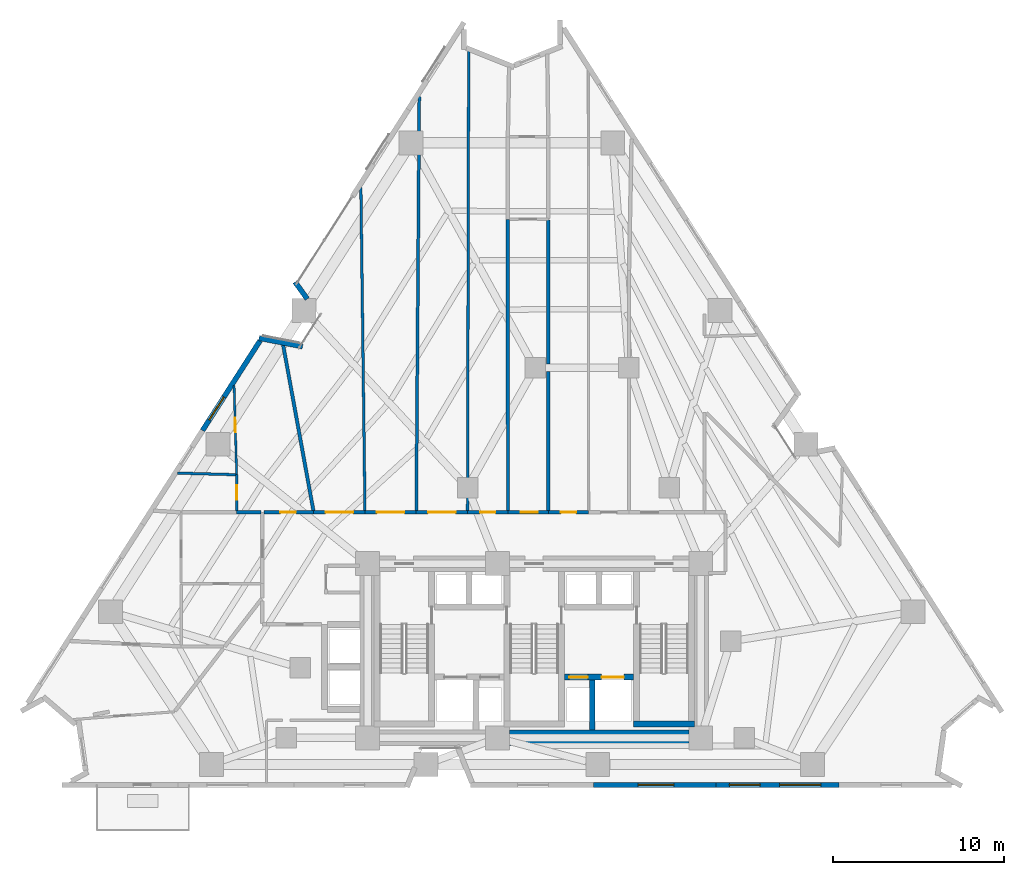
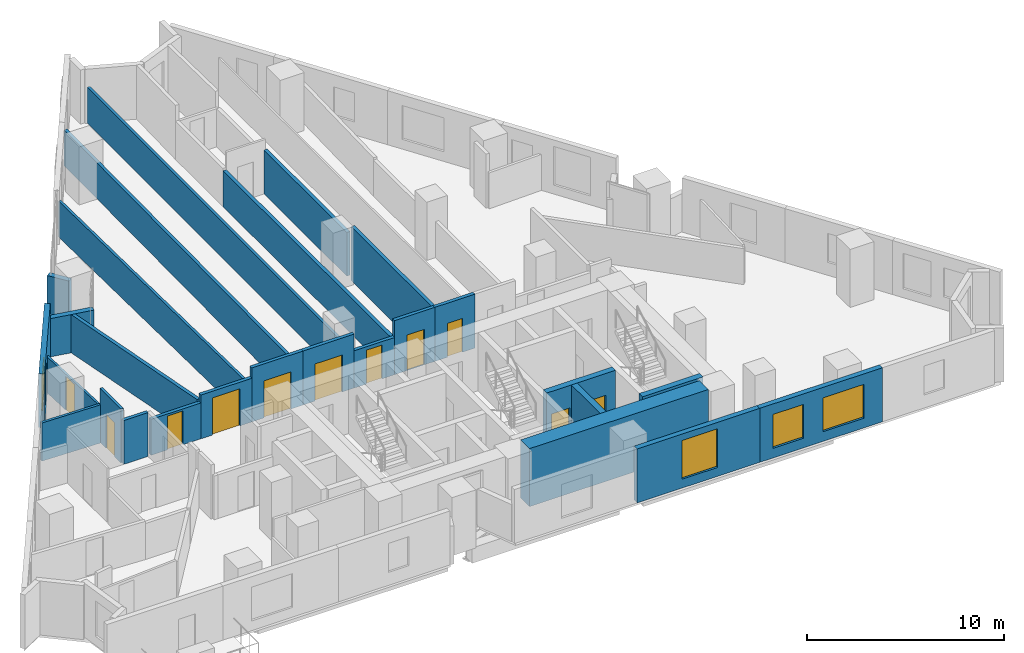
# One storey, part 9 of 14: 27 walls, 11 doors, 4 windows, 15 openings.
"""IFC4 building model written with IfcOpenShell, lengths in metres."""

from ifc_helpers import new_model, si_unit, direction, frame, frame_2d, origin, place, context, subcontext, project, spatial, rectangle, extrude, material, layer, layer_set, type_object, element, fill, save


model = new_model("IFC4")

# Units and contexts
model_context = context("Model", 3, precision=1e-05, world=origin(), true_north=direction((0.0, 1.0)))
body_context = subcontext(model_context, "Body", "Model", "MODEL_VIEW")
ifc_project = project(units=[si_unit("LENGTHUNIT", "METRE"), si_unit("AREAUNIT", "SQUARE_METRE"), si_unit("VOLUMEUNIT", "CUBIC_METRE"), si_unit("PLANEANGLEUNIT", "RADIAN"), si_unit("MASSUNIT", "GRAM", prefix="KILO")], contexts=[model_context])

# Site, building, storey
site_placement = place(None, origin())
site = spatial("IfcSite", under=ifc_project, at=site_placement, CompositionType="ELEMENT")
building_placement = place(site_placement, origin())
building = spatial("IfcBuilding", under=site, at=building_placement, Name="Almagre Mirador Tower", CompositionType="ELEMENT")
storey_placement = place(building_placement, frame((0.0, 0.0, 35.39990234375)))
storey = spatial("IfcBuildingStorey", under=building, at=storey_placement, Name="L07", CompositionType="ELEMENT", Elevation=35.39990234375)

# Walls
ifc_material_1 = material(Name="Precast concrete C50/60", Category="concrete")
ifc_layer_1 = layer(ifc_material_1, 0.300048828125)
ifc_layer_set_1 = layer_set([ifc_layer_1], Name="Precast concrete C50/60")
wall_type_1 = type_object("IfcWallType", Name="WAL-EXT-300", PredefinedType="SOLIDWALL", material=ifc_layer_set_1)
wall_1_placement = place(storey_placement, frame((21.20068359375, 27.946533203125, 0.0), z_axis=(0.0, 0.0, 1.0), x_axis=(0.981746971615, -0.190191702567, 0.0)))
element("IfcWall", 1, at=wall_1_placement, inside=storey, type_object=wall_type_1, Name="L07 expressed almagre precast frame wall 01", PredefinedType="SOLIDWALL", context=body_context, shape_type="SweptSolid", body=[
    extrude(rectangle(XDim=2.593017578125, YDim=0.300048828125, at=frame_2d((1.29638671875, 0.0))), origin(), (0.0, 0.0, 1.0), 2.375),
])
wall_2_placement = place(storey_placement, frame((24.022216796875, 30.235107421875, 0.0), z_axis=(0.0, 0.0, 1.0), x_axis=(-0.583004903736, 0.812468634607, 0.0)))
element("IfcWall", 2, at=wall_2_placement, inside=storey, type_object=wall_type_1, Name="L07 expressed almagre precast frame wall 02", PredefinedType="SOLIDWALL", context=body_context, shape_type="SweptSolid", body=[
    extrude(rectangle(XDim=1.227783203125, YDim=0.300048828125, at=frame_2d((0.61376953125, 0.0))), origin(), (0.0, 0.0, 1.0), 2.375),
])

# Wall, openings, windows
wall_3_placement = place(storey_placement, frame((55.14697265625, 1.800048828125, 0.0), z_axis=(0.0, 0.0, 1.0), x_axis=(-1.0, 0.0, 0.0)))
wall_3 = element("IfcWall", 3, at=wall_3_placement, inside=storey, type_object=wall_type_1, Name="L07 expressed almagre precast frame wall 23", PredefinedType="SOLIDWALL", context=body_context, shape_type="SweptSolid", body=[
    extrude(rectangle(XDim=7.19287109375, YDim=0.300048828125, at=frame_2d((3.596435546875, 0.0))), origin(), (0.0, 0.0, 1.0), 3.35009765625),
])
opening_1_placement = place(wall_3_placement, frame((4.625, 0.0, 0.60009765625)))
opening_1 = element("IfcOpeningElement", 4, at=opening_1_placement, cuts=wall_3, Name="Opening WN-01", PredefinedType="OPENING", context=body_context, shape_type="SweptSolid", body=[
    extrude(rectangle(XDim=1.800048828125, YDim=2.10009765625, at=frame_2d((0.89990234375, 1.050048828125))), frame((0.0, 0.159902, 0.0), z_axis=(0.0, -1.0, 0.0), x_axis=(1.0, 0.0, 0.0)), (0.0, 0.0, 1.0), 0.320049),
])
opening_2_placement = place(wall_3_placement, frame((1.074951171875, 0.0, 0.60009765625)))
opening_2 = element("IfcOpeningElement", 5, at=opening_2_placement, cuts=wall_3, Name="Opening WN-02", PredefinedType="OPENING", context=body_context, shape_type="SweptSolid", body=[
    extrude(rectangle(XDim=2.39990234375, YDim=2.10009765625, at=frame_2d((1.199951171875, 1.050048828125))), frame((0.0, 0.159902, 0.0), z_axis=(0.0, -1.0, 0.0), x_axis=(1.0, 0.0, 0.0)), (0.0, 0.0, 1.0), 0.320049),
])
ifc_material_2 = material(Name="Dark solar-control laminated hurricane glass", Category="glass")
window_type_1 = type_object("IfcWindowType", Name="WIN-1800X2100", PartitioningType="DOUBLE_PANEL_VERTICAL", PredefinedType="WINDOW", material=ifc_material_2)
window_1_placement = place(opening_1_placement, origin())
window_1 = element("IfcWindow", 6, at=window_1_placement, inside=storey, type_object=window_type_1, Name="L07 recessed hurricane window L07-RST-C", OverallHeight=2.10009765625, OverallWidth=1.800048828125, PartitioningType="SINGLE_PANEL", PredefinedType="WINDOW", context=body_context, shape_type="SweptSolid", body=[
    extrude(rectangle(XDim=1.800048828125, YDim=2.10009765625, at=frame_2d((0.89990234375, 1.050048828125))), frame((0.0, 0.030029296875, 0.0), z_axis=(0.0, -1.0, 0.0), x_axis=(1.0, 0.0, 0.0)), (0.0, 0.0, 1.0), 0.06005859375),
])
fill(opening_1, window_1)
ifc_material_3 = material(Name="Dark solar-control laminated hurricane glass", Category="glass")
window_type_2 = type_object("IfcWindowType", Name="WIN-2400X2100", PartitioningType="TRIPLE_PANEL_VERTICAL", PredefinedType="WINDOW", material=ifc_material_3)
window_2_placement = place(opening_2_placement, origin())
window_2 = element("IfcWindow", 7, at=window_2_placement, inside=storey, type_object=window_type_2, Name="L07 recessed hurricane window L07-RST-D", OverallHeight=2.10009765625, OverallWidth=2.39990234375, PartitioningType="SINGLE_PANEL", PredefinedType="WINDOW", context=body_context, shape_type="SweptSolid", body=[
    extrude(rectangle(XDim=2.39990234375, YDim=2.10009765625, at=frame_2d((1.199951171875, 1.050048828125))), frame((0.0, 0.030029296875, 0.0), z_axis=(0.0, -1.0, 0.0), x_axis=(1.0, 0.0, 0.0)), (0.0, 0.0, 1.0), 0.06005859375),
])
fill(opening_2, window_2)

# Wall, opening, window
wall_4_placement = place(storey_placement, frame((47.9541015625, 1.800048828125, 0.0), z_axis=(0.0, 0.0, 1.0), x_axis=(-1.0, 0.0, 0.0)))
wall_4 = element("IfcWall", 8, at=wall_4_placement, inside=storey, type_object=wall_type_1, Name="L07 expressed almagre precast frame wall 24", PredefinedType="SOLIDWALL", context=body_context, shape_type="SweptSolid", body=[
    extrude(rectangle(XDim=7.193115234375, YDim=0.300048828125, at=frame_2d((3.5966796875, 0.0))), origin(), (0.0, 0.0, 1.0), 3.35009765625),
])
opening_3_placement = place(wall_4_placement, frame((2.47509765625, 0.0, 0.550048828125)))
opening_3 = element("IfcOpeningElement", 9, at=opening_3_placement, cuts=wall_4, Name="Opening WN-05", PredefinedType="OPENING", context=body_context, shape_type="SweptSolid", body=[
    extrude(rectangle(XDim=2.10009765625, YDim=2.39990234375, at=frame_2d((1.050048828125, 1.199951171875))), frame((0.0, 0.159902, 0.0), z_axis=(0.0, -1.0, 0.0), x_axis=(1.0, 0.0, 0.0)), (0.0, 0.0, 1.0), 0.320049),
])
ifc_material_4 = material(Name="Dark solar-control laminated hurricane glass", Category="glass")
window_type_3 = type_object("IfcWindowType", Name="WIN-2100X2400", PartitioningType="DOUBLE_PANEL_VERTICAL", PredefinedType="WINDOW", material=ifc_material_4)
window_3_placement = place(opening_3_placement, origin())
window_3 = element("IfcWindow", 10, at=window_3_placement, inside=storey, type_object=window_type_3, Name="L07 recessed hurricane window L07-RST-C", OverallHeight=2.39990234375, OverallWidth=2.10009765625, PartitioningType="SINGLE_PANEL", PredefinedType="WINDOW", context=body_context, shape_type="SweptSolid", body=[
    extrude(rectangle(XDim=2.10009765625, YDim=2.39990234375, at=frame_2d((1.050048828125, 1.199951171875))), frame((0.0, 0.030029296875, 0.0), z_axis=(0.0, -1.0, 0.0), x_axis=(1.0, 0.0, 0.0)), (0.0, 0.0, 1.0), 0.06005859375),
])
fill(opening_3, window_3)

wall_5_placement = place(storey_placement, frame((17.892578125, 22.54345703125, 0.0), z_axis=(0.0, 0.0, 1.0), x_axis=(0.539539053693, 0.841960574813, 0.0)))
wall_5 = element("IfcWall", 11, at=wall_5_placement, inside=storey, type_object=wall_type_1, Name="L07 expressed almagre precast frame wall 38", PredefinedType="SOLIDWALL", context=body_context, shape_type="SweptSolid", body=[
    extrude(rectangle(XDim=6.250732421875, YDim=0.300048828125, at=frame_2d((3.12548828125, 0.0))), origin(), (0.0, 0.0, 1.0), 3.35009765625),
])
opening_4_placement = place(wall_5_placement, frame((0.72509765625, 0.0, 0.550048828125)))
opening_4 = element("IfcOpeningElement", 12, at=opening_4_placement, cuts=wall_5, Name="Opening WN-06", PredefinedType="OPENING", context=body_context, shape_type="SweptSolid", body=[
    extrude(rectangle(XDim=1.60009765625, YDim=2.199951171875, at=frame_2d((0.800048828125, 1.10009765625))), frame((0.0, 0.159902, 0.0), z_axis=(0.0, -1.0, 0.0), x_axis=(1.0, 0.0, 0.0)), (0.0, 0.0, 1.0), 0.320049),
])
ifc_material_5 = material(Name="Dark solar-control laminated hurricane glass", Category="glass")
window_type_4 = type_object("IfcWindowType", Name="WIN-1600X2200", PartitioningType="DOUBLE_PANEL_VERTICAL", PredefinedType="WINDOW", material=ifc_material_5)
window_4_placement = place(opening_4_placement, origin())
window_4 = element("IfcWindow", 13, at=window_4_placement, inside=storey, type_object=window_type_4, Name="L07 recessed hurricane window L07-UG-KT", OverallHeight=2.199951171875, OverallWidth=1.60009765625, PartitioningType="SINGLE_PANEL", PredefinedType="WINDOW", context=body_context, shape_type="SweptSolid", body=[
    extrude(rectangle(XDim=1.60009765625, YDim=2.199951171875, at=frame_2d((0.800048828125, 1.10009765625))), frame((0.0, 0.030029296875, 0.0), z_axis=(0.0, -1.0, 0.0), x_axis=(1.0, 0.0, 0.0)), (0.0, 0.0, 1.0), 0.06005859375),
])
fill(opening_4, window_4)

# Wall, opening, door
ifc_material_6 = material(Name="Gypsum acoustic stud partition", Category="other")
ifc_layer_2 = layer(ifc_material_6, 0.125)
ifc_layer_set_2 = layer_set([ifc_layer_2], Name="Gypsum acoustic stud partition")
wall_type_2 = type_object("IfcWallType", Name="WAL-PRT-125-UTL", PredefinedType="PARTITIONING", material=ifc_layer_set_2)
wall_6_placement = place(storey_placement, frame((19.740966796875, 25.18603515625, 0.0), z_axis=(0.0, 0.0, 1.0), x_axis=(0.028430709053, -0.999595765689, 0.0)))
wall_6 = element("IfcWall", 14, at=wall_6_placement, inside=storey, type_object=wall_type_2, Name="L07 interior partition 042", PredefinedType="PARTITIONING", context=body_context, shape_type="SweptSolid", body=[
    extrude(rectangle(XDim=5.23828125, YDim=0.125, at=frame_2d((2.619140625, 0.0))), origin(), (0.0, 0.0, 1.0), 2.22802734375),
])
opening_5_placement = place(wall_6_placement, frame((1.893798828125, 0.0, 0.0)))
opening_5 = element("IfcOpeningElement", 15, at=opening_5_placement, cuts=wall_6, Name="Opening UD-04", PredefinedType="OPENING", context=body_context, shape_type="SweptSolid", body=[
    extrude(rectangle(XDim=0.85009765625, YDim=2.10009765625, at=frame_2d((0.425048828125, 1.050048828125))), frame((0.0, 0.0725, 0.0), z_axis=(0.0, -1.0, 0.0), x_axis=(1.0, 0.0, 0.0)), (0.0, 0.0, 1.0), 0.145),
])
ifc_material_7 = material(Name="Moisture-resistant oak timber", Category="wood")
door_type_1 = type_object("IfcDoorType", Name="DOR-UNR-850X2100", OperationType="NOTDEFINED", PredefinedType="DOOR", material=ifc_material_7)
door_1_placement = place(opening_5_placement, origin())
door_1 = element("IfcDoor", 16, at=door_1_placement, inside=storey, type_object=door_type_1, Name="DR-0224 L07 interior door L07-UG-ST to L07-UG-KT", OperationType="SINGLE_SWING_LEFT", OverallHeight=2.10009765625, OverallWidth=0.85009765625, PredefinedType="DOOR", context=body_context, shape_type="SweptSolid", body=[
    extrude(rectangle(XDim=0.85009765625, YDim=2.10009765625, at=frame_2d((0.425048828125, 1.050048828125))), frame((0.0, 0.02490234375, 0.0), z_axis=(0.0, -1.0, 0.0), x_axis=(1.0, 0.0, 0.0)), (0.0, 0.0, 1.0), 0.050048828125),
])
fill(opening_5, door_1)

ifc_material_8 = material(Name="Gypsum acoustic stud partition", Category="other")
ifc_layer_3 = layer(ifc_material_8, 0.14990234375)
ifc_layer_set_3 = layer_set([ifc_layer_3], Name="Gypsum acoustic stud partition")
wall_type_3 = type_object("IfcWallType", Name="WAL-PRT-150-STD", PredefinedType="PARTITIONING", material=ifc_layer_set_3)
wall_7_placement = place(storey_placement, frame((19.889892578125, 19.949951171875, 0.0), z_axis=(0.0, 0.0, 1.0), x_axis=(0.0, -1.0, 0.0)))
wall_7 = element("IfcWall", 17, at=wall_7_placement, inside=storey, type_object=wall_type_3, Name="L07 interior partition 043", PredefinedType="PARTITIONING", context=body_context, shape_type="SweptSolid", body=[
    extrude(rectangle(XDim=2.114990234375, YDim=0.14990234375, at=frame_2d((1.0576171875, 0.0))), origin(), (0.0, 0.0, 1.0), 3.35009765625),
])
opening_6_placement = place(wall_7_placement, frame((0.615478515625, 0.0, 0.0)))
opening_6 = element("IfcOpeningElement", 18, at=opening_6_placement, cuts=wall_7, Name="Opening UD-04", PredefinedType="OPENING", context=body_context, shape_type="SweptSolid", body=[
    extrude(rectangle(XDim=0.85009765625, YDim=2.10009765625, at=frame_2d((0.425048828125, 1.050048828125))), frame((0.0, 0.084951, 0.0), z_axis=(0.0, -1.0, 0.0), x_axis=(1.0, 0.0, 0.0)), (0.0, 0.0, 1.0), 0.169902),
])
door_2_placement = place(opening_6_placement, origin())
door_2 = element("IfcDoor", 19, at=door_2_placement, inside=storey, type_object=door_type_1, Name="DR-0225 L07 interior door L07-UG-ST to L07-UG-BT", OperationType="SINGLE_SWING_RIGHT", OverallHeight=2.10009765625, OverallWidth=0.85009765625, PredefinedType="DOOR", context=body_context, shape_type="SweptSolid", body=[
    extrude(rectangle(XDim=0.85009765625, YDim=2.10009765625, at=frame_2d((0.425048828125, 1.050048828125))), frame((0.0, 0.02490234375, 0.0), z_axis=(0.0, -1.0, 0.0), x_axis=(1.0, 0.0, 0.0)), (0.0, 0.0, 1.0), 0.050048828125),
])
fill(opening_6, door_2)

# Walls
wall_8_placement = place(storey_placement, frame((16.43310546875, 20.0458984375, 0.0), z_axis=(0.0, 0.0, 1.0), x_axis=(0.999614255068, -0.027773027638, 0.0)))
element("IfcWall", 20, at=wall_8_placement, inside=storey, type_object=wall_type_3, Name="L07 interior partition 045", PredefinedType="PARTITIONING", context=body_context, shape_type="SweptSolid", body=[
    extrude(rectangle(XDim=3.41064453125, YDim=0.14990234375, at=frame_2d((1.705322265625, 0.0))), origin(), (0.0, 0.0, 1.0), 2.3701171875),
])
wall_9_placement = place(storey_placement, frame((27.399169921875, 17.8349609375, 0.0), z_axis=(0.0, 0.0, 1.0), x_axis=(-0.012641377926, 0.99992009459, 0.0)))
element("IfcWall", 21, at=wall_9_placement, inside=storey, type_object=wall_type_3, Name="L07 interior partition 046", PredefinedType="PARTITIONING", context=body_context, shape_type="SweptSolid", body=[
    extrude(rectangle(XDim=18.926513671875, YDim=0.14990234375, at=frame_2d((9.46337890625, 0.0))), origin(), (0.0, 0.0, 1.0), 2.22802734375),
])
wall_10_placement = place(storey_placement, frame((33.400146484375, 17.8349609375, 0.0), z_axis=(0.0, 0.0, 1.0), x_axis=(0.002519340237, 0.999996826457, 0.0)))
element("IfcWall", 22, at=wall_10_placement, inside=storey, type_object=wall_type_3, Name="L07 interior partition 052", PredefinedType="PARTITIONING", context=body_context, shape_type="SweptSolid", body=[
    extrude(rectangle(XDim=26.93994140625, YDim=0.14990234375, at=frame_2d((13.469970703125, 0.0))), origin(), (0.0, 0.0, 1.0), 2.22802734375),
])
ifc_material_9 = material(Name="Gypsum acoustic stud partition", Category="other")
ifc_layer_4 = layer(ifc_material_9, 0.175048828125)
ifc_layer_set_4 = layer_set([ifc_layer_4], Name="Gypsum acoustic stud partition")
wall_type_4 = type_object("IfcWallType", Name="WAL-PRT-175-AC", PredefinedType="PARTITIONING", material=ifc_layer_set_4)
wall_11_placement = place(storey_placement, frame((30.400634765625, 17.8349609375, 0.0), z_axis=(0.0, 0.0, 1.0), x_axis=(0.007313118493, 0.999973258791, 0.0)))
element("IfcWall", 23, at=wall_11_placement, inside=storey, type_object=wall_type_4, Name="L07 interior partition 051", PredefinedType="PARTITIONING", context=body_context, shape_type="SweptSolid", body=[
    extrude(rectangle(XDim=24.23681640625, YDim=0.175048828125, at=frame_2d((12.118408203125, 0.0))), origin(), (0.0, 0.0, 1.0), 2.22802734375),
])

# Wall, opening, door
ifc_material_10 = material(Name="Gypsum acoustic stud partition", Category="other")
ifc_layer_5 = layer(ifc_material_10, 0.199951171875)
ifc_layer_set_5 = layer_set([ifc_layer_5], Name="Gypsum acoustic stud partition")
wall_type_5 = type_object("IfcWallType", Name="WAL-PRT-200-EI60", PredefinedType="PARTITIONING", material=ifc_layer_set_5)
wall_12_placement = place(storey_placement, frame((24.39990234375, 17.75, 0.0), z_axis=(0.0, 0.0, 1.0), x_axis=(-1.0, 0.0, 0.0)))
wall_12 = element("IfcWall", 24, at=wall_12_placement, inside=storey, type_object=wall_type_5, Name="L07 interior partition 011", PredefinedType="PARTITIONING", context=body_context, shape_type="SweptSolid", body=[
    extrude(rectangle(XDim=2.914794921875, YDim=0.199951171875, at=frame_2d((1.45751953125, 0.0))), origin(), (0.0, 0.0, 1.0), 2.22802734375),
])
opening_7_placement = place(wall_12_placement, frame((1.050048828125, 0.0, 0.0)))
opening_7 = element("IfcOpeningElement", 25, at=opening_7_placement, cuts=wall_12, Name="Opening ID-03", PredefinedType="OPENING", context=body_context, shape_type="SweptSolid", body=[
    extrude(rectangle(XDim=0.89990234375, YDim=2.10009765625, at=frame_2d((0.449951171875, 1.050048828125))), frame((0.0, 0.110098, 0.0), z_axis=(0.0, -1.0, 0.0), x_axis=(1.0, 0.0, 0.0)), (0.0, 0.0, 1.0), 0.219951),
])
ifc_material_11 = material(Name="Fire-rated hollow steel", Category="steel")
door_type_2 = type_object("IfcDoorType", Name="DOR-FD60-900X2100", OperationType="NOTDEFINED", PredefinedType="DOOR", material=ifc_material_11)
door_3_placement = place(opening_7_placement, origin())
door_3 = element("IfcDoor", 26, at=door_3_placement, inside=storey, type_object=door_type_2, Name="DR-0223 L07 interior door L07-RCOR to L07-UG-ST", OperationType="SINGLE_SWING_RIGHT", OverallHeight=2.10009765625, OverallWidth=0.89990234375, PredefinedType="DOOR", context=body_context, shape_type="SweptSolid", body=[
    extrude(rectangle(XDim=0.89990234375, YDim=2.10009765625, at=frame_2d((0.449951171875, 1.050048828125))), frame((0.0, 0.02490234375, 0.0), z_axis=(0.0, -1.0, 0.0), x_axis=(1.0, 0.0, 0.0)), (0.0, 0.0, 1.0), 0.050048828125),
])
fill(opening_7, door_3)

wall_13_placement = place(storey_placement, frame((27.39990234375, 17.75, 0.0), z_axis=(0.0, 0.0, 1.0), x_axis=(-1.0, 0.0, 0.0)))
wall_13 = element("IfcWall", 27, at=wall_13_placement, inside=storey, type_object=wall_type_5, Name="L07 interior partition 012", PredefinedType="PARTITIONING", context=body_context, shape_type="SweptSolid", body=[
    extrude(rectangle(XDim=3.0, YDim=0.199951171875, at=frame_2d((1.5, 0.0))), origin(), (0.0, 0.0, 1.0), 2.712158203125),
])
opening_8_placement = place(wall_13_placement, frame((0.699951171875, 0.0, 0.0)))
opening_8 = element("IfcOpeningElement", 28, at=opening_8_placement, cuts=wall_13, Name="Opening ID-05", PredefinedType="OPENING", context=body_context, shape_type="SweptSolid", body=[
    extrude(rectangle(XDim=1.60009765625, YDim=2.300048828125, at=frame_2d((0.800048828125, 1.14990234375))), frame((0.0, 0.110098, 0.0), z_axis=(0.0, -1.0, 0.0), x_axis=(1.0, 0.0, 0.0)), (0.0, 0.0, 1.0), 0.219951),
])
ifc_material_12 = material(Name="Fire-rated acoustic timber", Category="wood")
door_type_3 = type_object("IfcDoorType", Name="DOR-FD60-1600X2300", OperationType="DOUBLE_DOOR_SINGLE_SWING", PredefinedType="DOOR", material=ifc_material_12)
door_4_placement = place(opening_8_placement, origin())
door_4 = element("IfcDoor", 29, at=door_4_placement, inside=storey, type_object=door_type_3, Name="DR-0213 L07 interior door L07-RCOR to L07-RST-H", OperationType="DOUBLE_DOOR_SINGLE_SWING", OverallHeight=2.300048828125, OverallWidth=1.60009765625, PredefinedType="DOOR", context=body_context, shape_type="SweptSolid", body=[
    extrude(rectangle(XDim=1.60009765625, YDim=2.300048828125, at=frame_2d((0.800048828125, 1.14990234375))), frame((0.0, 0.02490234375, 0.0), z_axis=(0.0, -1.0, 0.0), x_axis=(1.0, 0.0, 0.0)), (0.0, 0.0, 1.0), 0.050048828125),
])
fill(opening_8, door_4)

wall_14_placement = place(storey_placement, frame((30.39990234375, 17.75, 0.0), z_axis=(0.0, 0.0, 1.0), x_axis=(-1.0, 0.0, 0.0)))
wall_14 = element("IfcWall", 30, at=wall_14_placement, inside=storey, type_object=wall_type_5, Name="L07 interior partition 013", PredefinedType="PARTITIONING", context=body_context, shape_type="SweptSolid", body=[
    extrude(rectangle(XDim=3.0, YDim=0.199951171875, at=frame_2d((1.5, 0.0))), origin(), (0.0, 0.0, 1.0), 3.35009765625),
])
opening_9_placement = place(wall_14_placement, frame((0.699951171875, 0.0, 0.0)))
opening_9 = element("IfcOpeningElement", 31, at=opening_9_placement, cuts=wall_14, Name="Opening ID-05", PredefinedType="OPENING", context=body_context, shape_type="SweptSolid", body=[
    extrude(rectangle(XDim=1.60009765625, YDim=2.300048828125, at=frame_2d((0.800048828125, 1.14990234375))), frame((0.0, 0.110098, 0.0), z_axis=(0.0, -1.0, 0.0), x_axis=(1.0, 0.0, 0.0)), (0.0, 0.0, 1.0), 0.219951),
])
door_5_placement = place(opening_9_placement, origin())
door_5 = element("IfcDoor", 32, at=door_5_placement, inside=storey, type_object=door_type_3, Name="DR-0214 L07 interior door L07-RCOR to L07-RST-K", OperationType="DOUBLE_DOOR_SINGLE_SWING", OverallHeight=2.300048828125, OverallWidth=1.60009765625, PredefinedType="DOOR", context=body_context, shape_type="SweptSolid", body=[
    extrude(rectangle(XDim=1.60009765625, YDim=2.300048828125, at=frame_2d((0.800048828125, 1.14990234375))), frame((0.0, 0.02490234375, 0.0), z_axis=(0.0, -1.0, 0.0), x_axis=(1.0, 0.0, 0.0)), (0.0, 0.0, 1.0), 0.050048828125),
])
fill(opening_9, door_5)

wall_15_placement = place(storey_placement, frame((33.39990234375, 17.75, 0.0), z_axis=(0.0, 0.0, 1.0), x_axis=(-1.0, 0.0, 0.0)))
wall_15 = element("IfcWall", 33, at=wall_15_placement, inside=storey, type_object=wall_type_5, Name="L07 interior partition 014", PredefinedType="PARTITIONING", context=body_context, shape_type="SweptSolid", body=[
    extrude(rectangle(XDim=3.0, YDim=0.199951171875, at=frame_2d((1.5, 0.0))), origin(), (0.0, 0.0, 1.0), 3.35009765625),
])
opening_10_placement = place(wall_15_placement, frame((0.699951171875, 0.0, 0.0)))
opening_10 = element("IfcOpeningElement", 34, at=opening_10_placement, cuts=wall_15, Name="Opening ID-05", PredefinedType="OPENING", context=body_context, shape_type="SweptSolid", body=[
    extrude(rectangle(XDim=1.60009765625, YDim=2.300048828125, at=frame_2d((0.800048828125, 1.14990234375))), frame((0.0, 0.110098, 0.0), z_axis=(0.0, -1.0, 0.0), x_axis=(1.0, 0.0, 0.0)), (0.0, 0.0, 1.0), 0.219951),
])
door_6_placement = place(opening_10_placement, origin())
door_6 = element("IfcDoor", 35, at=door_6_placement, inside=storey, type_object=door_type_3, Name="DR-0215 L07 interior door L07-RCOR to L07-RST-L", OperationType="DOUBLE_DOOR_SINGLE_SWING", OverallHeight=2.300048828125, OverallWidth=1.60009765625, PredefinedType="DOOR", context=body_context, shape_type="SweptSolid", body=[
    extrude(rectangle(XDim=1.60009765625, YDim=2.300048828125, at=frame_2d((0.800048828125, 1.14990234375))), frame((0.0, 0.02490234375, 0.0), z_axis=(0.0, -1.0, 0.0), x_axis=(1.0, 0.0, 0.0)), (0.0, 0.0, 1.0), 0.050048828125),
])
fill(opening_10, door_6)

wall_16_placement = place(storey_placement, frame((35.77001953125, 17.75, 0.0), z_axis=(0.0, 0.0, 1.0), x_axis=(-1.0, 0.0, 0.0)))
wall_16 = element("IfcWall", 36, at=wall_16_placement, inside=storey, type_object=wall_type_5, Name="L07 interior partition 015", PredefinedType="PARTITIONING", context=body_context, shape_type="SweptSolid", body=[
    extrude(rectangle(XDim=2.3701171875, YDim=0.199951171875, at=frame_2d((1.18505859375, 0.0))), origin(), (0.0, 0.0, 1.0), 2.30908203125),
])
opening_11_placement = place(wall_16_placement, frame((0.735107421875, 0.0, 0.0)))
opening_11 = element("IfcOpeningElement", 37, at=opening_11_placement, cuts=wall_16, Name="Opening ID-03", PredefinedType="OPENING", context=body_context, shape_type="SweptSolid", body=[
    extrude(rectangle(XDim=0.89990234375, YDim=2.10009765625, at=frame_2d((0.449951171875, 1.050048828125))), frame((0.0, 0.110098, 0.0), z_axis=(0.0, -1.0, 0.0), x_axis=(1.0, 0.0, 0.0)), (0.0, 0.0, 1.0), 0.219951),
])
door_7_placement = place(opening_11_placement, origin())
door_7 = element("IfcDoor", 38, at=door_7_placement, inside=storey, type_object=door_type_2, Name="DR-0216 L07 interior door L07-RCOR to L07-RST-M", OperationType="SINGLE_SWING_RIGHT", OverallHeight=2.10009765625, OverallWidth=0.89990234375, PredefinedType="DOOR", context=body_context, shape_type="SweptSolid", body=[
    extrude(rectangle(XDim=0.89990234375, YDim=2.10009765625, at=frame_2d((0.449951171875, 1.050048828125))), frame((0.0, 0.02490234375, 0.0), z_axis=(0.0, -1.0, 0.0), x_axis=(1.0, 0.0, 0.0)), (0.0, 0.0, 1.0), 0.050048828125),
])
fill(opening_11, door_7)

wall_17_placement = place(storey_placement, frame((38.1298828125, 17.75, 0.0), z_axis=(0.0, 0.0, 1.0), x_axis=(-1.0, 0.0, 0.0)))
wall_17 = element("IfcWall", 39, at=wall_17_placement, inside=storey, type_object=wall_type_5, Name="L07 interior partition 016", PredefinedType="PARTITIONING", context=body_context, shape_type="SweptSolid", body=[
    extrude(rectangle(XDim=2.35986328125, YDim=0.199951171875, at=frame_2d((1.179931640625, 0.0))), origin(), (0.0, 0.0, 1.0), 3.35009765625),
])
opening_12_placement = place(wall_17_placement, frame((0.6201171875, 0.0, 0.0)))
opening_12 = element("IfcOpeningElement", 40, at=opening_12_placement, cuts=wall_17, Name="Opening ID-01", PredefinedType="OPENING", context=body_context, shape_type="SweptSolid", body=[
    extrude(rectangle(XDim=1.0, YDim=2.199951171875, at=frame_2d((0.5, 1.10009765625))), frame((0.0, 0.110098, 0.0), z_axis=(0.0, -1.0, 0.0), x_axis=(1.0, 0.0, 0.0)), (0.0, 0.0, 1.0), 0.219951),
])
ifc_material_13 = material(Name="Fire-rated walnut timber", Category="wood")
door_type_4 = type_object("IfcDoorType", Name="DOR-FD60-1000X2200", OperationType="NOTDEFINED", PredefinedType="DOOR", material=ifc_material_13)
door_8_placement = place(opening_12_placement, origin())
door_8 = element("IfcDoor", 41, at=door_8_placement, inside=storey, type_object=door_type_4, Name="DR-0226 L07 interior door L07-RCOR to L07-UN-ST", OperationType="SINGLE_SWING_LEFT", OverallHeight=2.199951171875, OverallWidth=1.0, PredefinedType="DOOR", context=body_context, shape_type="SweptSolid", body=[
    extrude(rectangle(XDim=1.0, YDim=2.199951171875, at=frame_2d((0.5, 1.10009765625))), frame((0.0, 0.02490234375, 0.0), z_axis=(0.0, -1.0, 0.0), x_axis=(1.0, 0.0, 0.0)), (0.0, 0.0, 1.0), 0.050048828125),
])
fill(opening_12, door_8)

wall_18_placement = place(storey_placement, frame((40.489990234375, 17.75, 0.0), z_axis=(0.0, 0.0, 1.0), x_axis=(-1.0, 0.0, 0.0)))
wall_18 = element("IfcWall", 42, at=wall_18_placement, inside=storey, type_object=wall_type_5, Name="L07 interior partition 017", PredefinedType="PARTITIONING", context=body_context, shape_type="SweptSolid", body=[
    extrude(rectangle(XDim=2.360107421875, YDim=0.199951171875, at=frame_2d((1.18017578125, 0.0))), origin(), (0.0, 0.0, 1.0), 3.35009765625),
])
opening_13_placement = place(wall_18_placement, frame((0.72998046875, 0.0, 0.0)))
opening_13 = element("IfcOpeningElement", 43, at=opening_13_placement, cuts=wall_18, Name="Opening ID-03", PredefinedType="OPENING", context=body_context, shape_type="SweptSolid", body=[
    extrude(rectangle(XDim=0.89990234375, YDim=2.10009765625, at=frame_2d((0.449951171875, 1.050048828125))), frame((0.0, 0.110098, 0.0), z_axis=(0.0, -1.0, 0.0), x_axis=(1.0, 0.0, 0.0)), (0.0, 0.0, 1.0), 0.219951),
])
door_9_placement = place(opening_13_placement, origin())
door_9 = element("IfcDoor", 44, at=door_9_placement, inside=storey, type_object=door_type_2, Name="DR-0217 L07 interior door L07-RCOR to L07-RST-P", OperationType="SINGLE_SWING_LEFT", OverallHeight=2.10009765625, OverallWidth=0.89990234375, PredefinedType="DOOR", context=body_context, shape_type="SweptSolid", body=[
    extrude(rectangle(XDim=0.89990234375, YDim=2.10009765625, at=frame_2d((0.449951171875, 1.050048828125))), frame((0.0, 0.02490234375, 0.0), z_axis=(0.0, -1.0, 0.0), x_axis=(1.0, 0.0, 0.0)), (0.0, 0.0, 1.0), 0.050048828125),
])
fill(opening_13, door_9)

# Walls
wall_19_placement = place(storey_placement, frame((21.31494140625, 17.75, 0.0), z_axis=(0.0, 0.0, 1.0), x_axis=(-1.0, 0.0, 0.0)))
element("IfcWall", 45, at=wall_19_placement, inside=storey, type_object=wall_type_5, Name="L07 interior partition 035", PredefinedType="PARTITIONING", context=body_context, shape_type="SweptSolid", body=[
    extrude(rectangle(XDim=1.425048828125, YDim=0.199951171875, at=frame_2d((0.71240234375, 0.0))), origin(), (0.0, 0.0, 1.0), 2.712158203125),
])
wall_20_placement = place(storey_placement, frame((24.384765625, 17.83349609375, 0.0), z_axis=(0.0, 0.0, 1.0), x_axis=(-0.179680097859, 0.98372509495, 0.0)))
element("IfcWall", 46, at=wall_20_placement, inside=storey, type_object=wall_type_5, Name="L07 interior partition 044", PredefinedType="PARTITIONING", context=body_context, shape_type="SweptSolid", body=[
    extrude(rectangle(XDim=9.89453125, YDim=0.199951171875, at=frame_2d((4.947265625, 0.0))), origin(), (0.0, 0.0, 1.0), 2.3701171875),
])
wall_21_placement = place(storey_placement, frame((35.77001953125, 17.8349609375, 0.0), z_axis=(0.0, 0.0, 1.0), x_axis=(-0.0005865689, 0.999999827968, 0.0)))
element("IfcWall", 47, at=wall_21_placement, inside=storey, type_object=wall_type_5, Name="L07 interior partition 053", PredefinedType="PARTITIONING", context=body_context, shape_type="SweptSolid", body=[
    extrude(rectangle(XDim=17.06494140625, YDim=0.199951171875, at=frame_2d((8.532470703125, 0.0))), origin(), (0.0, 0.0, 1.0), 2.22802734375),
])
wall_22_placement = place(storey_placement, frame((38.1298828125, 17.8349609375, 0.0), z_axis=(0.0, 0.0, 1.0), x_axis=(0.0, 1.0, 0.0)))
element("IfcWall", 48, at=wall_22_placement, inside=storey, type_object=wall_type_5, Name="L07 interior partition 057", PredefinedType="PARTITIONING", context=body_context, shape_type="SweptSolid", body=[
    extrude(rectangle(XDim=8.14501953125, YDim=0.199951171875, at=frame_2d((4.072509765625, 0.0))), origin(), (0.0, 0.0, 1.0), 3.35009765625),
])
wall_23_placement = place(storey_placement, frame((38.1298828125, 26.419921875, 0.0), z_axis=(0.0, 0.0, 1.0), x_axis=(0.0, 1.0, 0.0)))
element("IfcWall", 49, at=wall_23_placement, inside=storey, type_object=wall_type_5, Name="L07 interior partition 058", PredefinedType="PARTITIONING", context=body_context, shape_type="SweptSolid", body=[
    extrude(rectangle(XDim=8.4326171875, YDim=0.199951171875, at=frame_2d((4.21630859375, 0.0))), origin(), (0.0, 0.0, 1.0), 2.712158203125),
])
ifc_material_14 = material(Name="Concrete C60/75", Category="concrete")
ifc_layer_6 = layer(ifc_material_14, 0.35009765625)
ifc_layer_set_6 = layer_set([ifc_layer_6], Name="Concrete C60/75")
wall_type_6 = type_object("IfcWallType", Name="WAL-SHF-350", PredefinedType="SOLIDWALL", material=ifc_layer_set_6)
wall_24_placement = place(storey_placement, frame((43.125, 5.375, 0.0), z_axis=(0.0, 0.0, 1.0), x_axis=(1.0, 0.0, 0.0)))
element("IfcWall", 50, at=wall_24_placement, inside=storey, type_object=wall_type_6, Name="L07 shaft wall ST3-S", PredefinedType="SOLIDWALL", context=body_context, shape_type="SweptSolid", body=[
    extrude(rectangle(XDim=3.550048828125, YDim=0.35009765625, at=frame_2d((1.77490234375, 0.0))), origin(), (0.0, 0.0, 1.0), 3.60009765625),
])

# Wall, openings, doors
wall_25_placement = place(storey_placement, frame((39.074951171875, 8.10009765625, 0.0), z_axis=(0.0, 0.0, 1.0), x_axis=(1.0, 0.0, 0.0)))
wall_25 = element("IfcWall", 51, at=wall_25_placement, inside=storey, type_object=wall_type_6, Name="L07 shaft wall FSAE2-N", PredefinedType="SOLIDWALL", context=body_context, shape_type="SweptSolid", body=[
    extrude(rectangle(XDim=4.050048828125, YDim=0.35009765625, at=frame_2d((2.02490234375, 0.0))), origin(), (0.0, 0.0, 1.0), 3.60009765625),
])
opening_14_placement = place(wall_25_placement, frame((2.175048828125, 0.0, 0.0)))
opening_14 = element("IfcOpeningElement", 52, at=opening_14_placement, cuts=wall_25, Name="Opening LD-03", PredefinedType="OPENING", context=body_context, shape_type="SweptSolid", body=[
    extrude(rectangle(XDim=1.300048828125, YDim=2.25, at=frame_2d((0.64990234375, 1.125))), frame((0.0, 0.185049, 0.0), z_axis=(0.0, -1.0, 0.0), x_axis=(1.0, 0.0, 0.0)), (0.0, 0.0, 1.0), 0.370098),
])
opening_15_placement = place(wall_25_placement, frame((0.27490234375, 0.0, 0.0)))
opening_15 = element("IfcOpeningElement", 53, at=opening_15_placement, cuts=wall_25, Name="Opening LD-01", PredefinedType="OPENING", context=body_context, shape_type="SweptSolid", body=[
    extrude(rectangle(XDim=1.10009765625, YDim=2.199951171875, at=frame_2d((0.550048828125, 1.10009765625))), frame((0.0, 0.185049, 0.0), z_axis=(0.0, -1.0, 0.0), x_axis=(1.0, 0.0, 0.0)), (0.0, 0.0, 1.0), 0.370098),
])
ifc_material_15 = material(Name="Hollow stainless steel", Category="steel")
door_type_5 = type_object("IfcDoorType", Name="DOR-LD-1100X2200", OperationType="DOUBLE_DOOR_SLIDING", PredefinedType="DOOR", material=ifc_material_15)
door_10_placement = place(opening_15_placement, origin())
door_10 = element("IfcDoor", 54, at=door_10_placement, inside=storey, type_object=door_type_5, Name="DR-0234 L07 PL-L2 lift landing door", OperationType="DOUBLE_DOOR_SLIDING", OverallHeight=2.199951171875, OverallWidth=1.10009765625, PredefinedType="DOOR", context=body_context, shape_type="SweptSolid", body=[
    extrude(rectangle(XDim=1.10009765625, YDim=2.199951171875, at=frame_2d((0.550048828125, 1.10009765625))), frame((0.0, 0.02490234375, 0.0), z_axis=(0.0, -1.0, 0.0), x_axis=(1.0, 0.0, 0.0)), (0.0, 0.0, 1.0), 0.050048828125),
])
fill(opening_15, door_10)
ifc_material_16 = material(Name="Hollow stainless steel", Category="steel")
door_type_6 = type_object("IfcDoorType", Name="DOR-LD-1300X2250", OperationType="DOUBLE_DOOR_SLIDING", PredefinedType="DOOR", material=ifc_material_16)
door_11_placement = place(opening_14_placement, origin())
door_11 = element("IfcDoor", 55, at=door_11_placement, inside=storey, type_object=door_type_6, Name="DR-0232 L07 FSAE-2 lift landing door", OperationType="DOUBLE_DOOR_SLIDING", OverallHeight=2.25, OverallWidth=1.300048828125, PredefinedType="DOOR", context=body_context, shape_type="SweptSolid", body=[
    extrude(rectangle(XDim=1.300048828125, YDim=2.25, at=frame_2d((0.64990234375, 1.125))), frame((0.0, 0.02490234375, 0.0), z_axis=(0.0, -1.0, 0.0), x_axis=(1.0, 0.0, 0.0)), (0.0, 0.0, 1.0), 0.050048828125),
])
fill(opening_14, door_11)

# Walls
wall_26_placement = place(storey_placement, frame((40.699951171875, 5.0, 0.0), z_axis=(0.0, 0.0, 1.0), x_axis=(0.0, 1.0, 0.0)))
element("IfcWall", 56, at=wall_26_placement, inside=storey, type_object=wall_type_6, Name="L07 shaft wall FSAE2-W", PredefinedType="SOLIDWALL", context=body_context, shape_type="SweptSolid", body=[
    extrude(rectangle(XDim=2.925048828125, YDim=0.35009765625, at=frame_2d((1.46240234375, 0.0))), origin(), (0.0, 0.0, 1.0), 3.60009765625),
])
ifc_material_17 = material(Name="Concrete C70/85", Category="concrete")
ifc_layer_7 = layer(ifc_material_17, 0.89990234375)
ifc_layer_set_7 = layer_set([ifc_layer_7], Name="Concrete C70/85")
wall_type_7 = type_object("IfcWallType", Name="WAL-SHR-900", PredefinedType="SHEAR", material=ifc_layer_set_7)
wall_27_placement = place(storey_placement, frame((35.85009765625, 4.550048828125, 0.0), z_axis=(0.0, 0.0, 1.0), x_axis=(1.0, 0.0, 0.0)))
element("IfcWall", 57, at=wall_27_placement, inside=storey, type_object=wall_type_7, Name="L07 core shear wall S2", PredefinedType="SHEAR", context=body_context, shape_type="SweptSolid", body=[
    extrude(rectangle(XDim=10.5, YDim=0.89990234375, at=frame_2d((5.25, 0.0))), origin(), (0.0, 0.0, 1.0), 3.60009765625),
])

save(model, "model.ifc")
